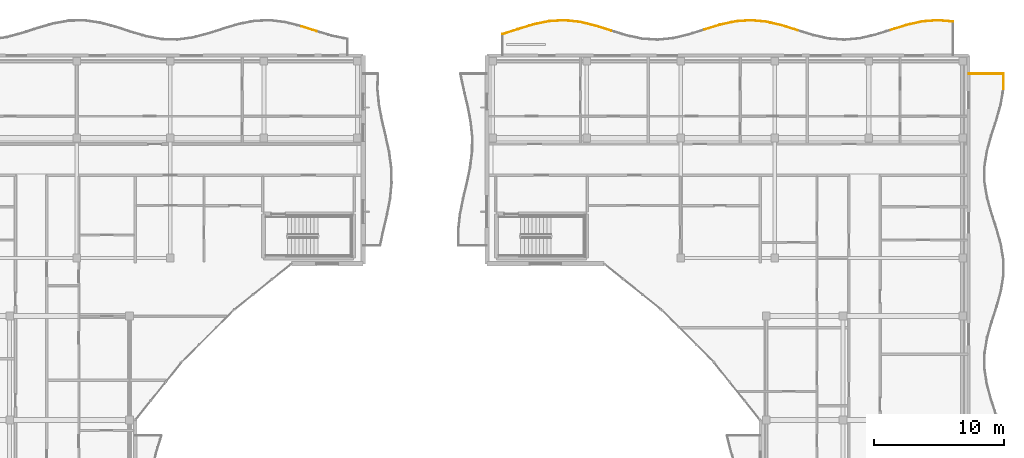
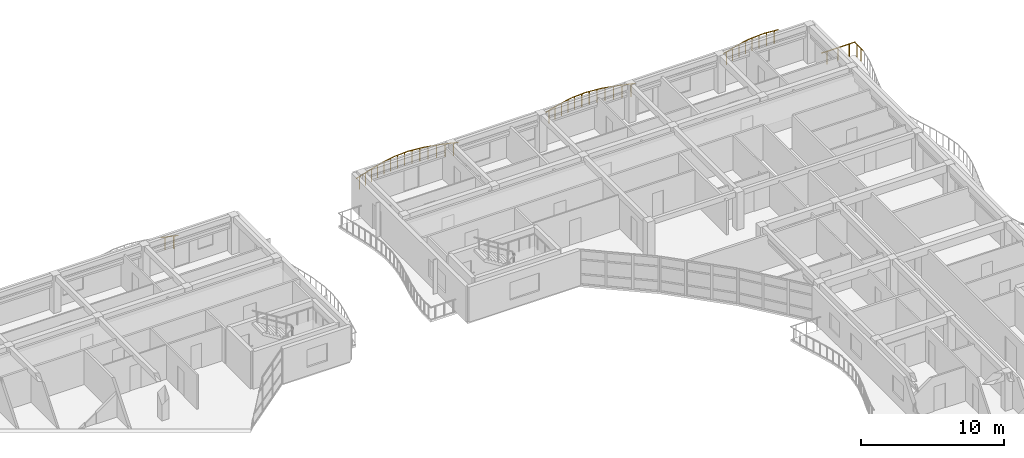
# One storey, part 71 of 71: 20 railings.
"""IFC4 building model written with IfcOpenShell, lengths in metres."""

from ifc_helpers import new_model, si_unit, direction, frame, origin, origin_2d, place, context, subcontext, project, spatial, circle, extrude, material, type_object, element, save


model = new_model("IFC4")

# Units and contexts
model_context = context("Model", 3, precision=1e-05, world=origin(), true_north=direction((0.0, 1.0)))
body_context = subcontext(model_context, "Body", "Model", "MODEL_VIEW")
ifc_project = project(units=[si_unit("LENGTHUNIT", "METRE"), si_unit("AREAUNIT", "SQUARE_METRE"), si_unit("VOLUMEUNIT", "CUBIC_METRE"), si_unit("PLANEANGLEUNIT", "RADIAN"), si_unit("MASSUNIT", "GRAM", prefix="KILO")], contexts=[model_context])

# Site, building, storey
site_placement = place(None, origin())
site = spatial("IfcSite", under=ifc_project, at=site_placement, CompositionType="ELEMENT")
building_placement = place(site_placement, origin())
building = spatial("IfcBuilding", under=site, at=building_placement, Name="Keldmere Railside Commons", CompositionType="ELEMENT")
storey_placement = place(building_placement, frame((0.0, 0.0, 20.159912109375)))
storey = spatial("IfcBuildingStorey", under=building, at=storey_placement, Name="L06", CompositionType="ELEMENT", Elevation=20.159912109375)

# Railings
ifc_material = material(Name="Steel F-24 (S235)", Category="steel")
railing_type = type_object("IfcRailingType", Name="Balcony & Terrace Steel Balustrade 1100", PredefinedType="BALUSTRADE", material=ifc_material)
railing_1_placement = place(storey_placement, frame((132.734375, 118.239013671875, 0.0)))
element("IfcRailing", 1, at=railing_1_placement, inside=storey, type_object=railing_type, Name="GR-1 GRD-L06-2532", PredefinedType="BALUSTRADE", context=body_context, shape_type="SweptSolid", body=[
    extrude(circle(Radius=0.02392578125, at=origin_2d()), frame((0.0, 0.0, 1.076171875), z_axis=(0.952240001722, -0.305350583954, 0.0), x_axis=(0.305350583954, 0.952240001722, 0.0)), (0.0, 0.0, 1.0), 1.248046875),
    extrude(circle(Radius=0.02099609375, at=origin_2d()), frame((0.297119140625, -0.09521484375, 0.0)), (0.0, 0.0, 1.0), 1.048095703125),
    extrude(circle(Radius=0.02099609375, at=origin_2d()), frame((0.891357421875, -0.285888671875, 0.0)), (0.0, 0.0, 1.0), 1.048095703125),
])
railing_2_placement = place(storey_placement, frame((148.199951171875, 117.63525390625, 0.0)))
element("IfcRailing", 2, at=railing_2_placement, inside=storey, type_object=railing_type, Name="GR-1 GRD-L06-3822", PredefinedType="BALUSTRADE", context=body_context, shape_type="SweptSolid", body=[
    extrude(circle(Radius=0.02392578125, at=origin_2d()), frame((0.0, 0.0, 1.076171875), z_axis=(0.952810485986, 0.303565771778, 0.0), x_axis=(-0.303565771778, 0.952810485986, 0.0)), (0.0, 0.0, 1.0), 1.252197265625),
    extrude(circle(Radius=0.02099609375, at=origin_2d()), frame((0.29833984375, 0.094970703125, 0.0)), (0.0, 0.0, 1.0), 1.048095703125),
    extrude(circle(Radius=0.02099609375, at=origin_2d()), frame((0.894775390625, 0.28515625, 0.0)), (0.0, 0.0, 1.0), 1.048095703125),
])
railing_3_placement = place(storey_placement, frame((149.39306640625, 118.015380859375, 0.0)))
element("IfcRailing", 3, at=railing_3_placement, inside=storey, type_object=railing_type, Name="GR-1 GRD-L06-3823", PredefinedType="BALUSTRADE", context=body_context, shape_type="SweptSolid", body=[
    extrude(circle(Radius=0.02392578125, at=origin_2d()), frame((0.0, 0.0, 1.076171875), z_axis=(0.956692845038, 0.291099296209, 0.0), x_axis=(-0.291099296209, 0.956692845038, 0.0)), (0.0, 0.0, 1.0), 1.2470703125),
    extrude(circle(Radius=0.02099609375, at=origin_2d()), frame((0.29833984375, 0.0908203125, 0.0)), (0.0, 0.0, 1.0), 1.048095703125),
    extrude(circle(Radius=0.02099609375, at=origin_2d()), frame((0.894775390625, 0.272216796875, 0.0)), (0.0, 0.0, 1.0), 1.048095703125),
])
railing_4_placement = place(storey_placement, frame((150.586181640625, 118.37841796875, 0.0)))
element("IfcRailing", 4, at=railing_4_placement, inside=storey, type_object=railing_type, Name="GR-1 GRD-L06-3824", PredefinedType="BALUSTRADE", context=body_context, shape_type="SweptSolid", body=[
    extrude(circle(Radius=0.02392578125, at=origin_2d()), frame((0.0, 0.0, 1.076171875), z_axis=(0.978825169415, 0.20469804034, 0.0), x_axis=(-0.20469804034, 0.978825169415, 0.0)), (0.0, 0.0, 1.0), 1.218994140625),
    extrude(circle(Radius=0.02099609375, at=origin_2d()), frame((0.29833984375, 0.0625, 0.0)), (0.0, 0.0, 1.0), 1.048095703125),
    extrude(circle(Radius=0.02099609375, at=origin_2d()), frame((0.894775390625, 0.18701171875, 0.0)), (0.0, 0.0, 1.0), 1.048095703125),
])
railing_5_placement = place(storey_placement, frame((151.779296875, 118.6279296875, 0.0)))
element("IfcRailing", 5, at=railing_5_placement, inside=storey, type_object=railing_type, Name="GR-1 GRD-L06-3825", PredefinedType="BALUSTRADE", context=body_context, shape_type="SweptSolid", body=[
    extrude(circle(Radius=0.02392578125, at=origin_2d()), frame((0.0, 0.0, 1.076171875), z_axis=(0.998291938201, 0.058422650773, 0.0), x_axis=(-0.058422650773, 0.998291938201, 0.0)), (0.0, 0.0, 1.0), 1.195068359375),
    extrude(circle(Radius=0.02099609375, at=origin_2d()), frame((0.29833984375, 0.017578125, 0.0)), (0.0, 0.0, 1.0), 1.048095703125),
    extrude(circle(Radius=0.02099609375, at=origin_2d()), frame((0.894775390625, 0.05224609375, 0.0)), (0.0, 0.0, 1.0), 1.048095703125),
])
railing_6_placement = place(storey_placement, frame((152.972412109375, 118.69775390625, 0.0)))
element("IfcRailing", 6, at=railing_6_placement, inside=storey, type_object=railing_type, Name="GR-1 GRD-L06-3826", PredefinedType="BALUSTRADE", context=body_context, shape_type="SweptSolid", body=[
    extrude(circle(Radius=0.02392578125, at=origin_2d()), frame((0.0, 0.0, 1.076171875), z_axis=(0.994257469538, -0.107014411495, 0.0), x_axis=(0.107014411495, 0.994257469538, 0.0)), (0.0, 0.0, 1.0), 1.199951171875),
    extrude(circle(Radius=0.02099609375, at=origin_2d()), frame((0.29833984375, -0.0322265625, 0.0)), (0.0, 0.0, 1.0), 1.048095703125),
    extrude(circle(Radius=0.02099609375, at=origin_2d()), frame((0.894775390625, -0.09619140625, 0.0)), (0.0, 0.0, 1.0), 1.048095703125),
])
railing_7_placement = place(storey_placement, frame((154.16552734375, 118.5693359375, 0.0)))
element("IfcRailing", 7, at=railing_7_placement, inside=storey, type_object=railing_type, Name="GR-1 GRD-L06-3827", PredefinedType="BALUSTRADE", context=body_context, shape_type="SweptSolid", body=[
    extrude(circle(Radius=0.02392578125, at=origin_2d()), frame((0.0, 0.0, 1.076171875), z_axis=(0.971288876857, -0.237903168733, 0.0), x_axis=(0.237903168733, 0.971288876857, 0.0)), (0.0, 0.0, 1.0), 1.228271484375),
    extrude(circle(Radius=0.02099609375, at=origin_2d()), frame((0.29833984375, -0.072998046875, 0.0)), (0.0, 0.0, 1.0), 1.048095703125),
    extrude(circle(Radius=0.02099609375, at=origin_2d()), frame((0.894775390625, -0.21923828125, 0.0)), (0.0, 0.0, 1.0), 1.048095703125),
])
railing_8_placement = place(storey_placement, frame((155.358642578125, 118.277099609375, 0.0)))
element("IfcRailing", 8, at=railing_8_placement, inside=storey, type_object=railing_type, Name="GR-1 GRD-L06-3828", PredefinedType="BALUSTRADE", context=body_context, shape_type="SweptSolid", body=[
    extrude(circle(Radius=0.02392578125, at=origin_2d()), frame((0.0, 0.0, 1.076171875), z_axis=(0.953035847292, -0.302857513985, 0.0), x_axis=(0.302857513985, 0.953035847292, 0.0)), (0.0, 0.0, 1.0), 1.251953125),
    extrude(circle(Radius=0.02099609375, at=origin_2d()), frame((0.29833984375, -0.0947265625, 0.0)), (0.0, 0.0, 1.0), 1.048095703125),
    extrude(circle(Radius=0.02099609375, at=origin_2d()), frame((0.894775390625, -0.284423828125, 0.0)), (0.0, 0.0, 1.0), 1.048095703125),
])
railing_9_placement = place(storey_placement, frame((163.710205078125, 117.98828125, 0.0)))
element("IfcRailing", 9, at=railing_9_placement, inside=storey, type_object=railing_type, Name="GR-1 GRD-L06-3835", PredefinedType="BALUSTRADE", context=body_context, shape_type="SweptSolid", body=[
    extrude(circle(Radius=0.02392578125, at=origin_2d()), frame((0.0, 0.0, 1.076171875), z_axis=(0.955652076679, 0.29449806169, 0.0), x_axis=(-0.29449806169, 0.955652076679, 0.0)), (0.0, 0.0, 1.0), 1.24853515625),
    extrude(circle(Radius=0.02099609375, at=origin_2d()), frame((0.29833984375, 0.091796875, 0.0)), (0.0, 0.0, 1.0), 1.048095703125),
    extrude(circle(Radius=0.02099609375, at=origin_2d()), frame((0.894775390625, 0.27587890625, 0.0)), (0.0, 0.0, 1.0), 1.048095703125),
])
railing_10_placement = place(storey_placement, frame((164.9033203125, 118.35595703125, 0.0)))
element("IfcRailing", 10, at=railing_10_placement, inside=storey, type_object=railing_type, Name="GR-1 GRD-L06-3836", PredefinedType="BALUSTRADE", context=body_context, shape_type="SweptSolid", body=[
    extrude(circle(Radius=0.02392578125, at=origin_2d()), frame((0.0, 0.0, 1.076171875), z_axis=(0.977118594546, 0.212695209615, 0.0), x_axis=(-0.212695209615, 0.977118594546, 0.0)), (0.0, 0.0, 1.0), 1.22119140625),
    extrude(circle(Radius=0.02099609375, at=origin_2d()), frame((0.29833984375, 0.06494140625, 0.0)), (0.0, 0.0, 1.0), 1.048095703125),
    extrude(circle(Radius=0.02099609375, at=origin_2d()), frame((0.89501953125, 0.19482421875, 0.0)), (0.0, 0.0, 1.0), 1.048095703125),
])
railing_11_placement = place(storey_placement, frame((166.0966796875, 118.61572265625, 0.0)))
element("IfcRailing", 11, at=railing_11_placement, inside=storey, type_object=railing_type, Name="GR-1 GRD-L06-3837", PredefinedType="BALUSTRADE", context=body_context, shape_type="SweptSolid", body=[
    extrude(circle(Radius=0.02392578125, at=origin_2d()), frame((0.0, 0.0, 1.076171875), z_axis=(0.997560246693, 0.069810845993, 0.0), x_axis=(-0.069810845993, 0.997560246693, 0.0)), (0.0, 0.0, 1.0), 1.196044921875),
    extrude(circle(Radius=0.02099609375, at=origin_2d()), frame((0.29833984375, 0.02099609375, 0.0)), (0.0, 0.0, 1.0), 1.048095703125),
    extrude(circle(Radius=0.02099609375, at=origin_2d()), frame((0.894775390625, 0.0625, 0.0)), (0.0, 0.0, 1.0), 1.048095703125),
])
railing_12_placement = place(storey_placement, frame((167.289794921875, 118.69921875, 0.0)))
element("IfcRailing", 12, at=railing_12_placement, inside=storey, type_object=railing_type, Name="GR-1 GRD-L06-3838", PredefinedType="BALUSTRADE", context=body_context, shape_type="SweptSolid", body=[
    extrude(circle(Radius=0.02392578125, at=origin_2d()), frame((0.0, 0.0, 1.076171875), z_axis=(0.995387733354, -0.095933624393, 0.0), x_axis=(0.095933624393, 0.995387733354, 0.0)), (0.0, 0.0, 1.0), 1.19873046875),
    extrude(circle(Radius=0.02099609375, at=origin_2d()), frame((0.29833984375, -0.02880859375, 0.0)), (0.0, 0.0, 1.0), 1.048095703125),
    extrude(circle(Radius=0.02099609375, at=origin_2d()), frame((0.894775390625, -0.086181640625, 0.0)), (0.0, 0.0, 1.0), 1.048095703125),
])
railing_13_placement = place(storey_placement, frame((168.48291015625, 118.584228515625, 0.0)))
element("IfcRailing", 13, at=railing_13_placement, inside=storey, type_object=railing_type, Name="GR-1 GRD-L06-3839", PredefinedType="BALUSTRADE", context=body_context, shape_type="SweptSolid", body=[
    extrude(circle(Radius=0.02392578125, at=origin_2d()), frame((0.0, 0.0, 1.076171875), z_axis=(0.973000311632, -0.23080379885, 0.0), x_axis=(0.23080379885, 0.973000311632, 0.0)), (0.0, 0.0, 1.0), 1.22607421875),
    extrude(circle(Radius=0.02099609375, at=origin_2d()), frame((0.29833984375, -0.07080078125, 0.0)), (0.0, 0.0, 1.0), 1.048095703125),
    extrude(circle(Radius=0.02099609375, at=origin_2d()), frame((0.89453125, -0.212158203125, 0.0)), (0.0, 0.0, 1.0), 1.048095703125),
])
railing_14_placement = place(storey_placement, frame((169.67578125, 118.30126953125, 0.0)))
element("IfcRailing", 14, at=railing_14_placement, inside=storey, type_object=railing_type, Name="GR-1 GRD-L06-3840", PredefinedType="BALUSTRADE", context=body_context, shape_type="SweptSolid", body=[
    extrude(circle(Radius=0.02392578125, at=origin_2d()), frame((0.0, 0.0, 1.076171875), z_axis=(0.953709404995, -0.300729730529, 0.0), x_axis=(0.300729730529, 0.953709404995, 0.0)), (0.0, 0.0, 1.0), 1.2509765625),
    extrude(circle(Radius=0.02099609375, at=origin_2d()), frame((0.29833984375, -0.093994140625, 0.0)), (0.0, 0.0, 1.0), 1.048095703125),
    extrude(circle(Radius=0.02099609375, at=origin_2d()), frame((0.894775390625, -0.2822265625, 0.0)), (0.0, 0.0, 1.0), 1.048095703125),
])
railing_15_placement = place(storey_placement, frame((178.027587890625, 117.96142578125, 0.0)))
element("IfcRailing", 15, at=railing_15_placement, inside=storey, type_object=railing_type, Name="GR-1 GRD-L06-3847", PredefinedType="BALUSTRADE", context=body_context, shape_type="SweptSolid", body=[
    extrude(circle(Radius=0.02392578125, at=origin_2d()), frame((0.0, 0.0, 1.076171875), z_axis=(0.954768065673, 0.297351544087, 0.0), x_axis=(-0.297351544087, 0.954768065673, 0.0)), (0.0, 0.0, 1.0), 1.249755859375),
    extrude(circle(Radius=0.02099609375, at=origin_2d()), frame((0.29833984375, 0.0927734375, 0.0)), (0.0, 0.0, 1.0), 1.048095703125),
    extrude(circle(Radius=0.02099609375, at=origin_2d()), frame((0.894775390625, 0.27880859375, 0.0)), (0.0, 0.0, 1.0), 1.048095703125),
])
railing_16_placement = place(storey_placement, frame((179.220703125, 118.3330078125, 0.0)))
element("IfcRailing", 16, at=railing_16_placement, inside=storey, type_object=railing_type, Name="GR-1 GRD-L06-3848", PredefinedType="BALUSTRADE", context=body_context, shape_type="SweptSolid", body=[
    extrude(circle(Radius=0.02392578125, at=origin_2d()), frame((0.0, 0.0, 1.076171875), z_axis=(0.975377330941, 0.220542654121, 0.0), x_axis=(-0.220542654121, 0.975377330941, 0.0)), (0.0, 0.0, 1.0), 1.22314453125),
    extrude(circle(Radius=0.02099609375, at=origin_2d()), frame((0.29833984375, 0.0673828125, 0.0)), (0.0, 0.0, 1.0), 1.048095703125),
    extrude(circle(Radius=0.02099609375, at=origin_2d()), frame((0.894775390625, 0.202392578125, 0.0)), (0.0, 0.0, 1.0), 1.048095703125),
])
railing_17_placement = place(storey_placement, frame((180.413818359375, 118.602783203125, 0.0)))
element("IfcRailing", 17, at=railing_17_placement, inside=storey, type_object=railing_type, Name="GR-1 GRD-L06-3849", PredefinedType="BALUSTRADE", context=body_context, shape_type="SweptSolid", body=[
    extrude(circle(Radius=0.02392578125, at=origin_2d()), frame((0.0, 0.0, 1.076171875), z_axis=(0.99670012381, 0.081171812825, 0.0), x_axis=(-0.081171812825, 0.99670012381, 0.0)), (0.0, 0.0, 1.0), 1.197021484375),
    extrude(circle(Radius=0.02099609375, at=origin_2d()), frame((0.29833984375, 0.0244140625, 0.0)), (0.0, 0.0, 1.0), 1.048095703125),
    extrude(circle(Radius=0.02099609375, at=origin_2d()), frame((0.894775390625, 0.07275390625, 0.0)), (0.0, 0.0, 1.0), 1.048095703125),
])
railing_18_placement = place(storey_placement, frame((181.60693359375, 118.699951171875, 0.0)))
element("IfcRailing", 18, at=railing_18_placement, inside=storey, type_object=railing_type, Name="GR-1 GRD-L06-3850", PredefinedType="BALUSTRADE", context=body_context, shape_type="SweptSolid", body=[
    extrude(circle(Radius=0.02392578125, at=origin_2d()), frame((0.0, 0.0, 1.076171875), z_axis=(0.996396540902, -0.084817057707, 0.0), x_axis=(0.084817057707, 0.996396540902, 0.0)), (0.0, 0.0, 1.0), 1.197509765625),
    extrude(circle(Radius=0.02099609375, at=origin_2d()), frame((0.29833984375, -0.025390625, 0.0)), (0.0, 0.0, 1.0), 1.048095703125),
    extrude(circle(Radius=0.02099609375, at=origin_2d()), frame((0.894775390625, -0.076171875, 0.0)), (0.0, 0.0, 1.0), 1.048095703125),
])
railing_19_placement = place(storey_placement, frame((186.666748046875, 113.408203125, 0.0)))
element("IfcRailing", 19, at=railing_19_placement, inside=storey, type_object=railing_type, Name="GR-1 GRD-L06-3926", PredefinedType="BALUSTRADE", context=body_context, shape_type="SweptSolid", body=[
    extrude(circle(Radius=0.02392578125, at=origin_2d()), frame((0.0, 0.0, 1.076171875), z_axis=(0.012493903899, 0.999921948137, 0.0), x_axis=(-0.999921948137, 0.012493903899, 0.0)), (0.0, 0.0, 1.0), 1.19189453125),
    extrude(circle(Radius=0.02099609375, at=origin_2d()), frame((0.003662109375, 0.2978515625, 0.0)), (0.0, 0.0, 1.0), 1.048095703125),
    extrude(circle(Radius=0.02099609375, at=origin_2d()), frame((0.01123046875, 0.89404296875, 0.0)), (0.0, 0.0, 1.0), 1.048095703125),
])
railing_20_placement = place(storey_placement, frame((186.681640625, 114.60009765625, 0.0)))
element("IfcRailing", 20, at=railing_20_placement, inside=storey, type_object=railing_type, Name="GR-1 GRD-L06-3927", PredefinedType="BALUSTRADE", context=body_context, shape_type="SweptSolid", body=[
    extrude(circle(Radius=0.02392578125, at=origin_2d()), frame((0.0, 0.0, 1.076171875), z_axis=(-1.0, 0.0, 0.0), x_axis=(0.0, -1.0, 0.0)), (0.0, 0.0, 1.0), 2.681640625),
    extrude(circle(Radius=0.02099609375, at=origin_2d()), frame((-0.447021484375, 0.0, 0.0)), (0.0, 0.0, 1.0), 1.048095703125),
    extrude(circle(Radius=0.02099609375, at=origin_2d()), frame((-1.3408203125, 0.0, 0.0)), (0.0, 0.0, 1.0), 1.048095703125),
    extrude(circle(Radius=0.02099609375, at=origin_2d()), frame((-2.234619140625, 0.0, 0.0)), (0.0, 0.0, 1.0), 1.048095703125),
])

save(model, "model.ifc")
